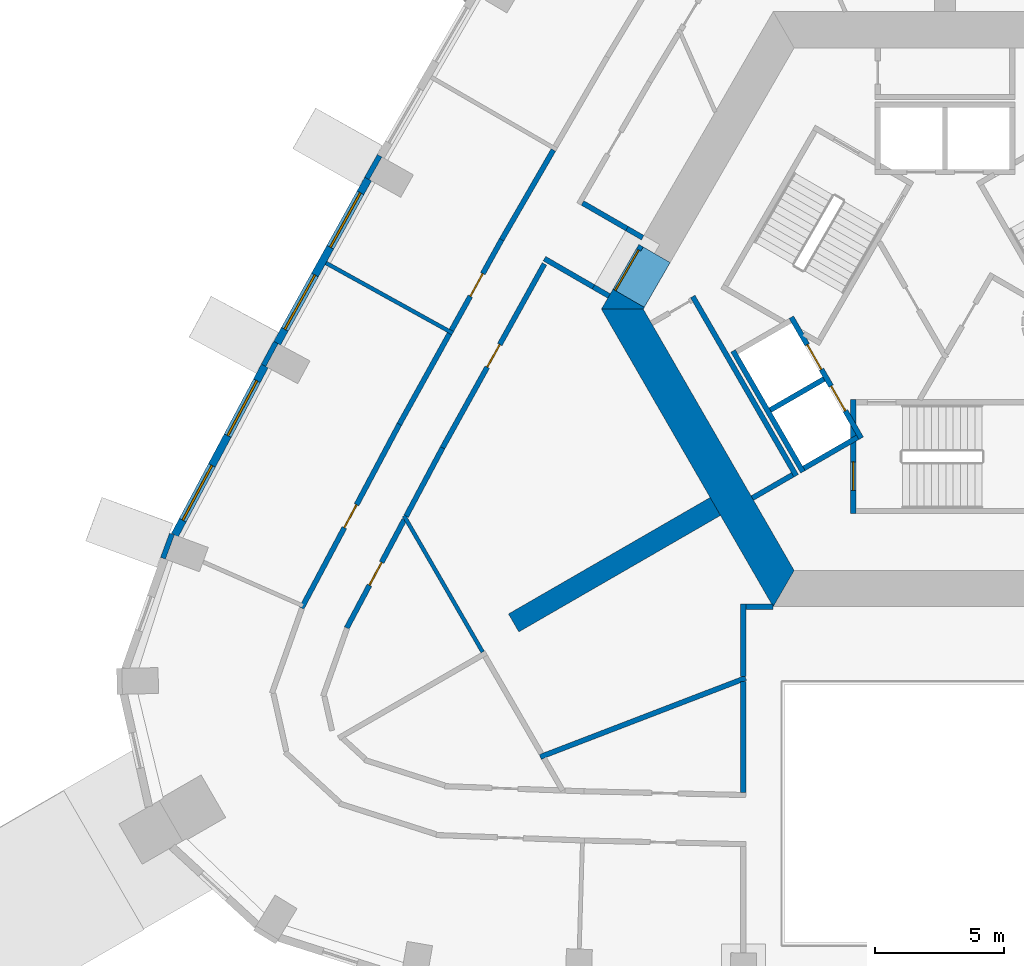
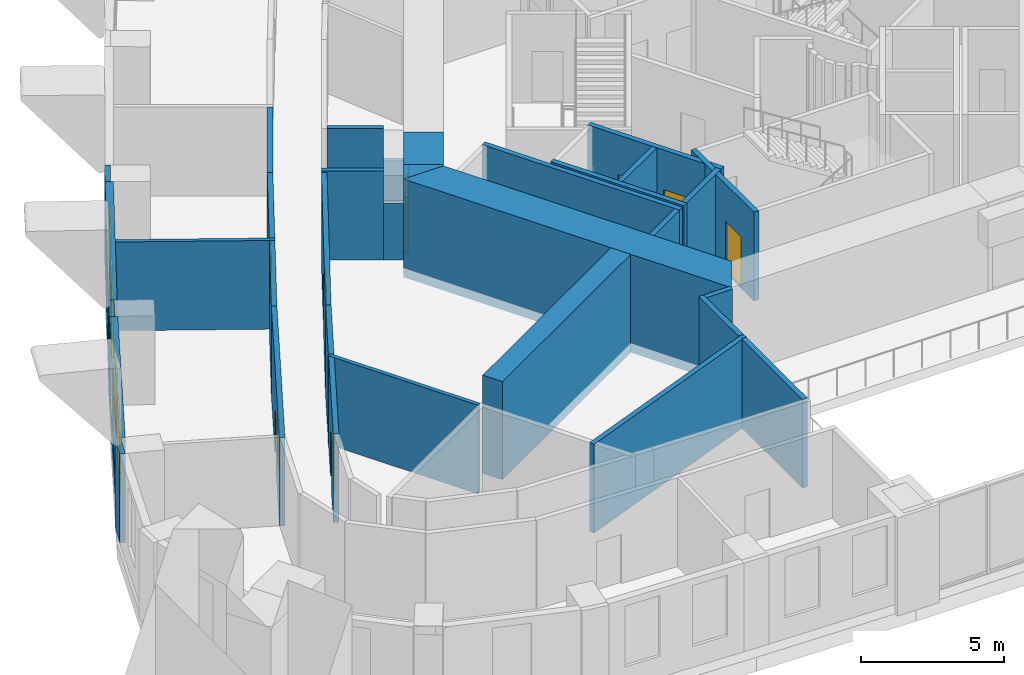
# One storey, part 4 of 13: 34 walls, 8 doors, 4 windows, 12 openings.
"""IFC4 building model written with IfcOpenShell, lengths in metres."""

from ifc_helpers import new_model, si_unit, direction, frame, frame_2d, origin, place, context, subcontext, project, spatial, polyline, rectangle, outline, extrude, material, layer, layer_set, type_object, element, fill, save


model = new_model("IFC4")

# Units and contexts
model_context = context("Model", 3, precision=1e-05, world=origin(), true_north=direction((0.0, 1.0)))
body_context = subcontext(model_context, "Body", "Model", "MODEL_VIEW")
ifc_project = project(units=[si_unit("LENGTHUNIT", "METRE"), si_unit("AREAUNIT", "SQUARE_METRE"), si_unit("VOLUMEUNIT", "CUBIC_METRE"), si_unit("PLANEANGLEUNIT", "RADIAN"), si_unit("MASSUNIT", "GRAM", prefix="KILO")], contexts=[model_context])

# Site, building, storey
site_placement = place(None, origin())
site = spatial("IfcSite", under=ifc_project, at=site_placement, CompositionType="ELEMENT")
building_placement = place(site_placement, origin())
building = spatial("IfcBuilding", under=site, at=building_placement, Name="Entoto Arch Interchange Tower", CompositionType="ELEMENT")
storey_placement = place(building_placement, frame((0.0, 0.0, 227.60009765625)))
storey = spatial("IfcBuildingStorey", under=building, at=storey_placement, Name="L51", CompositionType="ELEMENT", Elevation=227.60009765625)

# Wall
ifc_material_1 = material(Name="Concrete C50/60", Category="concrete")
ifc_layer_1 = layer(ifc_material_1, 0.800048828125)
ifc_layer_set_1 = layer_set([ifc_layer_1], Name="Concrete C50/60")
wall_type_1 = type_object("IfcWallType", Name="Buttress wall 800 C50/60", PredefinedType="SHEAR", material=ifc_layer_set_1)
wall_1_placement = place(storey_placement, frame((-8.876953125, -5.125, -0.400146484375), z_axis=(0.0, 0.0, 1.0), x_axis=(-0.866017533419, -0.500013631625, 0.0)))
element("IfcWall", 1, at=wall_1_placement, inside=storey, type_object=wall_type_1, Name="Buttress wall SW L51", PredefinedType="SHEAR", context=body_context, shape_type="SweptSolid", body=[
    extrude(rectangle(XDim=8.999755859375, YDim=0.800048828125, at=frame_2d((4.5, 0.0))), origin(), (0.0, 0.0, 1.0), 4.199951171875),
])

# Wall, opening, door
ifc_material_2 = material(Name="Reinforced concrete C40/50", Category="concrete")
ifc_layer_2 = layer(ifc_material_2, 0.199951171875)
ifc_layer_set_2 = layer_set([ifc_layer_2], Name="Reinforced concrete C40/50")
wall_type_2 = type_object("IfcWallType", Name="CORE GAP INFILL WALL", PredefinedType="PARTITIONING", material=ifc_layer_set_2)
wall_2_placement = place(storey_placement, frame((-11.7470703125, 4.951904296875, 0.0), z_axis=(0.0, 0.0, 1.0), x_axis=(-0.50002537861, -0.866010750942, 0.0)))
wall_2 = element("IfcWall", 2, at=wall_2_placement, inside=storey, type_object=wall_type_2, Name="wall:L51:gap3", PredefinedType="PARTITIONING", context=body_context, shape_type="SweptSolid", body=[
    extrude(rectangle(XDim=2.0, YDim=0.199951171875, at=frame_2d((1.0, 0.0))), origin(), (0.0, 0.0, 1.0), 2.39990234375),
])
opening_1_placement = place(wall_2_placement, frame((0.18994140625, 0.0, 0.0)))
opening_1 = element("IfcOpeningElement", 3, at=opening_1_placement, cuts=wall_2, Name="Opening L51-D93", PredefinedType="OPENING", context=body_context, shape_type="SweptSolid", body=[
    extrude(rectangle(XDim=1.800048828125, YDim=2.10009765625, at=frame_2d((0.89990234375, 1.050048828125))), frame((0.0, 0.10986328125, 0.0), z_axis=(0.0, -1.0, 0.0), x_axis=(1.0, 0.0, 0.0)), (0.0, 0.0, 1.0), 0.219970703125),
])
ifc_material_3 = material(Name="Fire-rated Steel S235 door and frame", Category="steel")
door_type_1 = type_object("IfcDoorType", Name="DOOR FD-18 1800x2100", OperationType="DOUBLE_DOOR_SINGLE_SWING", PredefinedType="DOOR", material=ifc_material_3)
door_1_placement = place(opening_1_placement, origin())
door_1 = element("IfcDoor", 4, at=door_1_placement, inside=storey, type_object=door_type_1, Name="door:L51:gap3", OperationType="DOUBLE_DOOR_SINGLE_SWING", OverallHeight=2.10009765625, OverallWidth=1.800048828125, PredefinedType="DOOR", context=body_context, shape_type="SweptSolid", body=[
    extrude(rectangle(XDim=1.800048828125, YDim=2.10009765625, at=frame_2d((0.89990234375, 1.050048828125))), frame((0.0, 0.02490234375, 0.0), z_axis=(0.0, -1.0, 0.0), x_axis=(1.0, 0.0, 0.0)), (0.0, 0.0, 1.0), 0.050048828125),
])
fill(opening_1, door_1)

# Walls
ifc_layer_3 = layer(ifc_material_1, 1.39990234375)
ifc_layer_set_3 = layer_set([ifc_layer_3], Name="Concrete C50/60")
wall_type_3 = type_object("IfcWallType", Name="Core wall 1400 C50/60", PredefinedType="SHEAR", material=ifc_layer_set_3)
wall_3_placement = place(storey_placement, frame((0.0, 0.0, -0.400146484375)))
element("IfcWall", 5, at=wall_3_placement, inside=storey, type_object=wall_type_3, Name="Core wall NW L51", PredefinedType="SHEAR", context=body_context, shape_type="SweptSolid", body=[
    extrude(outline(polyline([(-11.6220703125, 2.570068359375), (-12.833984375, 3.27001953125), (-13.279052734375, 2.5), (-11.662109375, 2.5), (-11.6220703125, 2.570068359375)])), origin(), (0.0, 0.0, 1.0), 4.199951171875),
])
wall_4_placement = place(storey_placement, frame((0.0, 0.0, 3.599853515625)))
element("IfcWall", 6, at=wall_4_placement, inside=storey, type_object=wall_type_3, Name="Core wall lintel NW L51", PredefinedType="SHEAR", context=body_context, shape_type="SweptSolid", body=[
    extrude(outline(polyline([(-12.833984375, 3.27001953125), (-11.6220703125, 2.570068359375), (-10.6220703125, 4.302001953125), (-11.833984375, 5.001953125), (-12.833984375, 3.27001953125)])), origin(), (0.0, 0.0, 1.0), 0.199951171875),
])
wall_5_placement = place(storey_placement, frame((0.0, 0.0, -0.400146484375)))
element("IfcWall", 7, at=wall_5_placement, inside=storey, type_object=wall_type_3, Name="Core wall SW L51", PredefinedType="SHEAR", context=body_context, shape_type="SweptSolid", body=[
    extrude(outline(polyline([(-13.279052734375, 2.5), (-6.639892578125, -9.0), (-5.8310546875, -7.60009765625), (-11.662109375, 2.5), (-13.279052734375, 2.5)])), origin(), (0.0, 0.0, 1.0), 4.199951171875),
])

# Wall, openings, doors
ifc_material_4 = material(Name="Concrete C40/50", Category="concrete")
ifc_layer_4 = layer(ifc_material_4, 0.199951171875)
ifc_layer_set_4 = layer_set([ifc_layer_4], Name="Concrete C40/50")
wall_type_4 = type_object("IfcWallType", Name="LIFT SHAFT WALL 200", PredefinedType="STANDARD", material=ifc_layer_set_4)
wall_6_placement = place(storey_placement, frame((-5.93994140625, 2.18798828125, 0.0), z_axis=(0.0, 0.0, 1.0), x_axis=(0.500034260056, -0.866005622828, 0.0)))
wall_6 = element("IfcWall", 8, at=wall_6_placement, inside=storey, type_object=wall_type_4, Name="Shaft wall SW1 front", PredefinedType="STANDARD", context=body_context, shape_type="SweptSolid", body=[
    extrude(rectangle(XDim=5.3994140625, YDim=0.199951171875, at=frame_2d((2.69970703125, 0.0))), origin(), (0.0, 0.0, 1.0), 3.7998046875),
])
opening_2_placement = place(wall_6_placement, frame((3.074951171875, 0.0, 0.0)))
opening_2 = element("IfcOpeningElement", 9, at=opening_2_placement, cuts=wall_6, Name="Opening LD-HR4-L51", PredefinedType="OPENING", context=body_context, shape_type="SweptSolid", body=[
    extrude(rectangle(XDim=1.10009765625, YDim=2.10009765625, at=frame_2d((0.550048828125, 1.050048828125))), frame((0.0, 0.10986328125, 0.0), z_axis=(0.0, -1.0, 0.0), x_axis=(1.0, 0.0, 0.0)), (0.0, 0.0, 1.0), 0.219970703125),
])
opening_3_placement = place(wall_6_placement, frame((1.22509765625, 0.0, 0.0)))
opening_3 = element("IfcOpeningElement", 10, at=opening_3_placement, cuts=wall_6, Name="Opening LD-FF2-L51", PredefinedType="OPENING", context=body_context, shape_type="SweptSolid", body=[
    extrude(rectangle(XDim=1.10009765625, YDim=2.10009765625, at=frame_2d((0.550048828125, 1.050048828125))), frame((0.0, 0.10986328125, 0.0), z_axis=(0.0, -1.0, 0.0), x_axis=(1.0, 0.0, 0.0)), (0.0, 0.0, 1.0), 0.219970703125),
])
ifc_material_5 = material(Name="Stainless steel 1.4301 panels", Category="steel")
door_type_2 = type_object("IfcDoorType", Name="LIFT LANDING DOOR LD1 1100x2100", OperationType="SLIDING_TO_LEFT", PredefinedType="DOOR", material=ifc_material_5)
door_2_placement = place(opening_2_placement, origin())
door_2 = element("IfcDoor", 11, at=door_2_placement, inside=storey, type_object=door_type_2, Name="Lift landing door HR4 L51", OperationType="SLIDING_TO_LEFT", OverallHeight=2.10009765625, OverallWidth=1.10009765625, PredefinedType="DOOR", context=body_context, shape_type="SweptSolid", body=[
    extrude(rectangle(XDim=1.10009765625, YDim=2.10009765625, at=frame_2d((0.550048828125, 1.050048828125))), frame((0.0, 0.02490234375, 0.0), z_axis=(0.0, -1.0, 0.0), x_axis=(1.0, 0.0, 0.0)), (0.0, 0.0, 1.0), 0.050048828125),
])
fill(opening_2, door_2)
door_3_placement = place(opening_3_placement, origin())
door_3 = element("IfcDoor", 12, at=door_3_placement, inside=storey, type_object=door_type_2, Name="Lift landing door FF2 L51", OperationType="SLIDING_TO_LEFT", OverallHeight=2.10009765625, OverallWidth=1.10009765625, PredefinedType="DOOR", context=body_context, shape_type="SweptSolid", body=[
    extrude(rectangle(XDim=1.10009765625, YDim=2.10009765625, at=frame_2d((0.550048828125, 1.050048828125))), frame((0.0, 0.02490234375, 0.0), z_axis=(0.0, -1.0, 0.0), x_axis=(1.0, 0.0, 0.0)), (0.0, 0.0, 1.0), 0.050048828125),
])
fill(opening_3, door_3)

# Walls
wall_7_placement = place(storey_placement, frame((-8.19189453125, 0.887939453125, 0.0), z_axis=(0.0, 0.0, 1.0), x_axis=(0.500034260056, -0.866005622828, 0.0)))
element("IfcWall", 13, at=wall_7_placement, inside=storey, type_object=wall_type_4, Name="Shaft wall SW1 back", PredefinedType="STANDARD", context=body_context, shape_type="SweptSolid", body=[
    extrude(rectangle(XDim=5.3994140625, YDim=0.199951171875, at=frame_2d((2.69970703125, 0.0))), origin(), (0.0, 0.0, 1.0), 3.7998046875),
])
wall_8_placement = place(storey_placement, frame((-4.677001953125, -0.199951171875, 0.0), z_axis=(0.0, 0.0, 1.0), x_axis=(-0.865973769406, -0.500089422704, 0.0)))
element("IfcWall", 14, at=wall_8_placement, inside=storey, type_object=wall_type_4, Name="Shaft wall SW1 cross 2", PredefinedType="STANDARD", context=body_context, shape_type="SweptSolid", body=[
    extrude(rectangle(XDim=2.3994140625, YDim=0.199951171875, at=frame_2d((1.19970703125, 0.0))), origin(), (0.0, 0.0, 1.0), 3.7998046875),
])
wall_9_placement = place(storey_placement, frame((-3.376953125, -2.451904296875, 0.0), z_axis=(0.0, 0.0, 1.0), x_axis=(-0.865955154139, -0.50012165622, 0.0)))
element("IfcWall", 15, at=wall_9_placement, inside=storey, type_object=wall_type_4, Name="Shaft wall SW1 cross 3", PredefinedType="STANDARD", context=body_context, shape_type="SweptSolid", body=[
    extrude(rectangle(XDim=2.39990234375, YDim=0.199951171875, at=frame_2d((1.199951171875, 0.0))), origin(), (0.0, 0.0, 1.0), 3.7998046875),
])
ifc_material_6 = material(Name="Gypsum board partition on steel studs", Category="steel")
ifc_layer_5 = layer(ifc_material_6, 0.14990234375)
ifc_layer_set_5 = layer_set([ifc_layer_5], Name="Gypsum board partition on steel studs")
wall_type_5 = type_object("IfcWallType", Name="PARTITION 150", PredefinedType="PARTITIONING", material=ifc_layer_set_5)
wall_10_placement = place(storey_placement, frame((-17.8701171875, -10.7490234375, 0.0), z_axis=(0.0, 0.0, 1.0), x_axis=(-0.499907758807, 0.866078652713, 0.0)))
element("IfcWall", 16, at=wall_10_placement, inside=storey, type_object=wall_type_5, Name="wall:L51:p110", PredefinedType="PARTITIONING", context=body_context, shape_type="SweptSolid", body=[
    extrude(rectangle(XDim=6.082763671875, YDim=0.14990234375, at=frame_2d((3.04150390625, 0.0))), origin(), (0.0, 0.0, 1.0), 3.7998046875),
])
wall_11_placement = place(storey_placement, frame((-19.02490234375, 1.570068359375, 0.0), z_axis=(0.0, 0.0, 1.0), x_axis=(-0.874714019242, 0.484639437666, 0.0)))
element("IfcWall", 17, at=wall_11_placement, inside=storey, type_object=wall_type_5, Name="wall:L51:p124", PredefinedType="PARTITIONING", context=body_context, shape_type="SweptSolid", body=[
    extrude(rectangle(XDim=5.599853515625, YDim=0.14990234375, at=frame_2d((2.7998046875, 0.0))), origin(), (0.0, 0.0, 1.0), 3.7998046875),
])
ifc_layer_6 = layer(ifc_material_6, 0.199951171875)
ifc_layer_set_6 = layer_set([ifc_layer_6], Name="Gypsum board partition on steel studs")
wall_type_6 = type_object("IfcWallType", Name="PARTITION 200", PredefinedType="PARTITIONING", material=ifc_layer_set_6)
wall_12_placement = place(storey_placement, frame((-14.007080078125, 6.60302734375, 0.0), z_axis=(0.0, 0.0, 1.0), x_axis=(0.866105617073, -0.499861040765, 0.0)))
element("IfcWall", 18, at=wall_12_placement, inside=storey, type_object=wall_type_6, Name="wall:L51:p004", PredefinedType="PARTITIONING", context=body_context, shape_type="SweptSolid", body=[
    extrude(rectangle(XDim=1.982421875, YDim=0.199951171875, at=frame_2d((0.9912109375, 0.0))), origin(), (0.0, 0.0, 1.0), 3.7998046875),
])

# Wall, opening, door
wall_13_placement = place(storey_placement, frame((-15.48193359375, 4.2490234375, 0.0), z_axis=(0.0, 0.0, 1.0), x_axis=(-0.484683114876, -0.874689818252, 0.0)))
wall_13 = element("IfcWall", 19, at=wall_13_placement, inside=storey, type_object=wall_type_6, Name="wall:L51:p029", PredefinedType="PARTITIONING", context=body_context, shape_type="SweptSolid", body=[
    extrude(rectangle(XDim=8.122802734375, YDim=0.199951171875, at=frame_2d((4.0615234375, 0.0))), origin(), (0.0, 0.0, 1.0), 3.7998046875),
])
opening_4_placement = place(wall_13_placement, frame((3.56103515625, 0.0, 0.0)))
opening_4 = element("IfcOpeningElement", 20, at=opening_4_placement, cuts=wall_13, Name="Opening L51-D20", PredefinedType="OPENING", context=body_context, shape_type="SweptSolid", body=[
    extrude(rectangle(XDim=1.0, YDim=2.10009765625, at=frame_2d((0.5, 1.050048828125))), frame((0.0, 0.10986328125, 0.0), z_axis=(0.0, -1.0, 0.0), x_axis=(1.0, 0.0, 0.0)), (0.0, 0.0, 1.0), 0.219970703125),
])
ifc_material_7 = material(Name="Timber door leaf in Steel S235 frame", Category="steel")
door_type_3 = type_object("IfcDoorType", Name="DOOR DS-10 1000x2100", OperationType="SINGLE_SWING_LEFT", PredefinedType="DOOR", material=ifc_material_7)
door_4_placement = place(opening_4_placement, origin())
door_4 = element("IfcDoor", 21, at=door_4_placement, inside=storey, type_object=door_type_3, Name="door:L51:20", OperationType="SINGLE_SWING_LEFT", OverallHeight=2.10009765625, OverallWidth=1.0, PredefinedType="DOOR", context=body_context, shape_type="SweptSolid", body=[
    extrude(rectangle(XDim=1.0, YDim=2.10009765625, at=frame_2d((0.5, 1.050048828125))), frame((0.0, 0.02490234375, 0.0), z_axis=(0.0, -1.0, 0.0), x_axis=(1.0, 0.0, 0.0)), (0.0, 0.0, 1.0), 0.050048828125),
])
fill(opening_4, door_4)

# Walls
wall_14_placement = place(storey_placement, frame((-19.4189453125, -2.85595703125, 0.0), z_axis=(0.0, 0.0, 1.0), x_axis=(-0.469627838973, -0.882864481595, 0.0)))
element("IfcWall", 22, at=wall_14_placement, inside=storey, type_object=wall_type_6, Name="wall:L51:p030", PredefinedType="PARTITIONING", context=body_context, shape_type="SweptSolid", body=[
    extrude(rectangle(XDim=2.995849609375, YDim=0.199951171875, at=frame_2d((1.498046875, 0.0))), origin(), (0.0, 0.0, 1.0), 3.7998046875),
])
wall_15_placement = place(storey_placement, frame((-12.98388671875, 3.010009765625, 0.0), z_axis=(0.0, 0.0, 1.0), x_axis=(-0.865959057869, 0.500114896893, 0.0)))
element("IfcWall", 23, at=wall_15_placement, inside=storey, type_object=wall_type_6, Name="wall:L51:p031", PredefinedType="PARTITIONING", context=body_context, shape_type="SweptSolid", body=[
    extrude(rectangle(XDim=0.699951171875, YDim=0.199951171875, at=frame_2d((0.35009765625, 0.0))), origin(), (0.0, 0.0, 1.0), 2.39990234375),
])

# Wall, opening, door
wall_16_placement = place(storey_placement, frame((-20.89599609375, -5.634033203125, 0.0), z_axis=(0.0, 0.0, 1.0), x_axis=(-0.469448951755, -0.882959614986, 0.0)))
wall_16 = element("IfcWall", 24, at=wall_16_placement, inside=storey, type_object=wall_type_6, Name="wall:L51:p034", PredefinedType="PARTITIONING", context=body_context, shape_type="SweptSolid", body=[
    extrude(rectangle(XDim=4.73974609375, YDim=0.199951171875, at=frame_2d((2.369873046875, 0.0))), origin(), (0.0, 0.0, 1.0), 3.7998046875),
])
opening_5_placement = place(wall_16_placement, frame((1.8701171875, 0.0, 0.0)))
opening_5 = element("IfcOpeningElement", 25, at=opening_5_placement, cuts=wall_16, Name="Opening L51-D22", PredefinedType="OPENING", context=body_context, shape_type="SweptSolid", body=[
    extrude(rectangle(XDim=1.0, YDim=2.10009765625, at=frame_2d((0.5, 1.050048828125))), frame((0.0, 0.10986328125, 0.0), z_axis=(0.0, -1.0, 0.0), x_axis=(1.0, 0.0, 0.0)), (0.0, 0.0, 1.0), 0.219970703125),
])
door_5_placement = place(opening_5_placement, origin())
door_5 = element("IfcDoor", 26, at=door_5_placement, inside=storey, type_object=door_type_3, Name="door:L51:22", OperationType="SINGLE_SWING_LEFT", OverallHeight=2.10009765625, OverallWidth=1.0, PredefinedType="DOOR", context=body_context, shape_type="SweptSolid", body=[
    extrude(rectangle(XDim=1.0, YDim=2.10009765625, at=frame_2d((0.5, 1.050048828125))), frame((0.0, 0.02490234375, 0.0), z_axis=(0.0, -1.0, 0.0), x_axis=(1.0, 0.0, 0.0)), (0.0, 0.0, 1.0), 0.050048828125),
])
fill(opening_5, door_5)

wall_17_placement = place(storey_placement, frame((-19.075927734375, 1.68408203125, 0.0), z_axis=(0.0, 0.0, 1.0), x_axis=(0.484679349661, 0.874691904623, 0.0)))
wall_17 = element("IfcWall", 27, at=wall_17_placement, inside=storey, type_object=wall_type_6, Name="wall:L51:p061", PredefinedType="PARTITIONING", context=body_context, shape_type="SweptSolid", body=[
    extrude(rectangle(XDim=4.00244140625, YDim=0.199951171875, at=frame_2d((2.001220703125, 0.0))), origin(), (0.0, 0.0, 1.0), 3.7998046875),
])
opening_6_placement = place(wall_17_placement, frame((1.5009765625, 0.0, 0.0)))
opening_6 = element("IfcOpeningElement", 28, at=opening_6_placement, cuts=wall_17, Name="Opening L51-D11", PredefinedType="OPENING", context=body_context, shape_type="SweptSolid", body=[
    extrude(rectangle(XDim=1.0, YDim=2.10009765625, at=frame_2d((0.5, 1.050048828125))), frame((0.0, 0.10986328125, 0.0), z_axis=(0.0, -1.0, 0.0), x_axis=(1.0, 0.0, 0.0)), (0.0, 0.0, 1.0), 0.219970703125),
])
door_6_placement = place(opening_6_placement, origin())
door_6 = element("IfcDoor", 29, at=door_6_placement, inside=storey, type_object=door_type_3, Name="door:L51:11", OperationType="SINGLE_SWING_LEFT", OverallHeight=2.10009765625, OverallWidth=1.0, PredefinedType="DOOR", context=body_context, shape_type="SweptSolid", body=[
    extrude(rectangle(XDim=1.0, YDim=2.10009765625, at=frame_2d((0.5, 1.050048828125))), frame((0.0, 0.02490234375, 0.0), z_axis=(0.0, -1.0, 0.0), x_axis=(1.0, 0.0, 0.0)), (0.0, 0.0, 1.0), 0.050048828125),
])
fill(opening_6, door_6)

# Wall
wall_18_placement = place(storey_placement, frame((-17.135986328125, 5.18505859375, 0.0), z_axis=(0.0, 0.0, 1.0), x_axis=(0.500102734445, 0.865966081899, 0.0)))
element("IfcWall", 30, at=wall_18_placement, inside=storey, type_object=wall_type_6, Name="wall:L51:p062", PredefinedType="PARTITIONING", context=body_context, shape_type="SweptSolid", body=[
    extrude(rectangle(XDim=4.001220703125, YDim=0.199951171875, at=frame_2d((2.00048828125, 0.0))), origin(), (0.0, 0.0, 1.0), 3.7998046875),
])

# Wall, opening, door
wall_19_placement = place(storey_placement, frame((-24.865966796875, -9.052978515625, 0.0), z_axis=(0.0, 0.0, 1.0), x_axis=(0.469431794586, 0.882968736837, 0.0)))
wall_19 = element("IfcWall", 31, at=wall_19_placement, inside=storey, type_object=wall_type_6, Name="wall:L51:p063", PredefinedType="PARTITIONING", context=body_context, shape_type="SweptSolid", body=[
    extrude(rectangle(XDim=8.045654296875, YDim=0.199951171875, at=frame_2d((4.02294921875, 0.0))), origin(), (0.0, 0.0, 1.0), 3.7998046875),
])
opening_7_placement = place(wall_19_placement, frame((3.52197265625, 0.0, 0.0)))
opening_7 = element("IfcOpeningElement", 32, at=opening_7_placement, cuts=wall_19, Name="Opening L51-D12", PredefinedType="OPENING", context=body_context, shape_type="SweptSolid", body=[
    extrude(rectangle(XDim=1.0, YDim=2.10009765625, at=frame_2d((0.5, 1.050048828125))), frame((0.0, 0.10986328125, 0.0), z_axis=(0.0, -1.0, 0.0), x_axis=(1.0, 0.0, 0.0)), (0.0, 0.0, 1.0), 0.219970703125),
])
door_7_placement = place(opening_7_placement, origin())
door_7 = element("IfcDoor", 33, at=door_7_placement, inside=storey, type_object=door_type_3, Name="door:L51:12", OperationType="SINGLE_SWING_LEFT", OverallHeight=2.10009765625, OverallWidth=1.0, PredefinedType="DOOR", context=body_context, shape_type="SweptSolid", body=[
    extrude(rectangle(XDim=1.0, YDim=2.10009765625, at=frame_2d((0.5, 1.050048828125))), frame((0.0, 0.02490234375, 0.0), z_axis=(0.0, -1.0, 0.0), x_axis=(1.0, 0.0, 0.0)), (0.0, 0.0, 1.0), 0.050048828125),
])
fill(opening_7, door_7)

# Walls
wall_20_placement = place(storey_placement, frame((-21.089111328125, -1.948974609375, 0.0), z_axis=(0.0, 0.0, 1.0), x_axis=(0.484622593188, 0.874723351793, 0.0)))
element("IfcWall", 34, at=wall_20_placement, inside=storey, type_object=wall_type_6, Name="wall:L51:p064", PredefinedType="PARTITIONING", context=body_context, shape_type="SweptSolid", body=[
    extrude(rectangle(XDim=4.00341796875, YDim=0.199951171875, at=frame_2d((2.001708984375, 0.0))), origin(), (0.0, 0.0, 1.0), 3.7998046875),
])
wall_21_placement = place(storey_placement, frame((-5.887939453125, -3.902099609375, 0.0), z_axis=(0.0, 0.0, 1.0), x_axis=(-0.866316547501, -0.499495384889, 0.0)))
element("IfcWall", 35, at=wall_21_placement, inside=storey, type_object=wall_type_6, Name="wall:L51:p077", PredefinedType="PARTITIONING", context=body_context, shape_type="SweptSolid", body=[
    extrude(rectangle(XDim=1.799560546875, YDim=0.199951171875, at=frame_2d((0.89990234375, 0.0))), origin(), (0.0, 0.0, 1.0), 3.7998046875),
])
wall_22_placement = place(storey_placement, frame((-9.7509765625, 2.989990234375, 0.0), z_axis=(0.0, 0.0, 1.0), x_axis=(0.500012163284, -0.866018381195, 0.0)))
element("IfcWall", 36, at=wall_22_placement, inside=storey, type_object=wall_type_6, Name="wall:L51:p079", PredefinedType="PARTITIONING", context=body_context, shape_type="SweptSolid", body=[
    extrude(rectangle(XDim=7.999755859375, YDim=0.199951171875, at=frame_2d((4.0, 0.0))), origin(), (0.0, 0.0, 1.0), 3.7998046875),
])
wall_23_placement = place(storey_placement, frame((-7.800048828125, -11.68994140625, 0.0), z_axis=(0.0, 0.0, 1.0), x_axis=(0.0, 1.0, 0.0)))
element("IfcWall", 37, at=wall_23_placement, inside=storey, type_object=wall_type_6, Name="wall:L51:p099", PredefinedType="PARTITIONING", context=body_context, shape_type="SweptSolid", body=[
    extrude(rectangle(XDim=2.791015625, YDim=0.199951171875, at=frame_2d((1.3955078125, 0.0))), origin(), (0.0, 0.0, 1.0), 3.7998046875),
])
wall_24_placement = place(storey_placement, frame((-7.699951171875, -8.9990234375, 0.0), z_axis=(0.0, 0.0, 1.0), x_axis=(1.0, 0.0, 0.0)))
element("IfcWall", 38, at=wall_24_placement, inside=storey, type_object=wall_type_6, Name="wall:L51:p100", PredefinedType="PARTITIONING", context=body_context, shape_type="SweptSolid", body=[
    extrude(rectangle(XDim=1.058837890625, YDim=0.199951171875, at=frame_2d((0.529296875, 0.0))), origin(), (0.0, 0.0, 1.0), 3.7998046875),
])
wall_25_placement = place(storey_placement, frame((-7.800048828125, -16.176025390625, 0.0), z_axis=(0.0, 0.0, 1.0), x_axis=(0.0, 1.0, 0.0)))
element("IfcWall", 39, at=wall_25_placement, inside=storey, type_object=wall_type_6, Name="wall:L51:p101", PredefinedType="PARTITIONING", context=body_context, shape_type="SweptSolid", body=[
    extrude(rectangle(XDim=4.2861328125, YDim=0.199951171875, at=frame_2d((2.14306640625, 0.0))), origin(), (0.0, 0.0, 1.0), 3.7998046875),
])
wall_26_placement = place(storey_placement, frame((-7.70703125, -11.7548828125, 0.0), z_axis=(0.0, 0.0, 1.0), x_axis=(-0.933420343818, -0.358784701105, 0.0)))
element("IfcWall", 40, at=wall_26_placement, inside=storey, type_object=wall_type_6, Name="wall:L51:p109", PredefinedType="PARTITIONING", context=body_context, shape_type="SweptSolid", body=[
    extrude(rectangle(XDim=8.5009765625, YDim=0.199951171875, at=frame_2d((4.25048828125, 0.0))), origin(), (0.0, 0.0, 1.0), 3.7998046875),
])
wall_27_placement = place(storey_placement, frame((-12.2900390625, 5.612060546875, 0.0), z_axis=(0.0, 0.0, 1.0), x_axis=(0.865871789474, -0.500265973451, 0.0)))
element("IfcWall", 41, at=wall_27_placement, inside=storey, type_object=wall_type_6, Name="wall:L51:p004", PredefinedType="PARTITIONING", context=body_context, shape_type="SweptSolid", body=[
    extrude(rectangle(XDim=0.69970703125, YDim=0.199951171875, at=frame_2d((0.349853515625, 0.0))), origin(), (0.0, 0.0, 1.0), 2.39990234375),
])
wall_28_placement = place(storey_placement, frame((-13.590087890625, 3.360107421875, 0.0), z_axis=(0.0, 0.0, 1.0), x_axis=(-0.866004963011, 0.500035402787, 0.0)))
element("IfcWall", 42, at=wall_28_placement, inside=storey, type_object=wall_type_6, Name="wall:L51:p031", PredefinedType="PARTITIONING", context=body_context, shape_type="SweptSolid", body=[
    extrude(rectangle(XDim=2.183349609375, YDim=0.199951171875, at=frame_2d((1.091796875, 0.0))), origin(), (0.0, 0.0, 1.0), 3.7998046875),
])

# Wall, opening, door
ifc_layer_7 = layer(ifc_material_4, 0.199951171875)
ifc_layer_set_7 = layer_set([ifc_layer_7], Name="Concrete C40/50")
wall_type_7 = type_object("IfcWallType", Name="STAIR ENCLOSURE WALL 200", PredefinedType="STANDARD", material=ifc_layer_set_7)
wall_29_placement = place(storey_placement, frame((-3.550048828125, -1.0, 0.0), z_axis=(0.0, 0.0, 1.0), x_axis=(0.0, -1.0, 0.0)))
wall_29 = element("IfcWall", 43, at=wall_29_placement, inside=storey, type_object=wall_type_7, Name="Stair wall ST-S near", PredefinedType="STANDARD", context=body_context, shape_type="SweptSolid", body=[
    extrude(rectangle(XDim=4.39990234375, YDim=0.199951171875, at=frame_2d((2.199951171875, 0.0))), origin(), (0.0, 0.0, 1.0), 3.7998046875),
])
opening_8_placement = place(wall_29_placement, frame((2.39990234375, 0.0, 0.0)))
opening_8 = element("IfcOpeningElement", 44, at=opening_8_placement, cuts=wall_29, Name="Opening SD-ST-S-L51-E", PredefinedType="OPENING", context=body_context, shape_type="SweptSolid", body=[
    extrude(rectangle(XDim=1.10009765625, YDim=2.199951171875, at=frame_2d((0.550048828125, 1.10009765625))), frame((0.0, 0.10986328125, 0.0), z_axis=(0.0, -1.0, 0.0), x_axis=(1.0, 0.0, 0.0)), (0.0, 0.0, 1.0), 0.219970703125),
])
ifc_material_8 = material(Name="Steel S235", Category="steel")
door_type_4 = type_object("IfcDoorType", Name="STAIR DOOR SD1 1100x2200", OperationType="SINGLE_SWING_LEFT", PredefinedType="DOOR", material=ifc_material_8)
door_8_placement = place(opening_8_placement, origin())
door_8 = element("IfcDoor", 45, at=door_8_placement, inside=storey, type_object=door_type_4, Name="Stair door ST-S L51 end", OperationType="SINGLE_SWING_LEFT", OverallHeight=2.199951171875, OverallWidth=1.10009765625, PredefinedType="DOOR", context=body_context, shape_type="SweptSolid", body=[
    extrude(rectangle(XDim=1.10009765625, YDim=2.199951171875, at=frame_2d((0.550048828125, 1.10009765625))), frame((0.0, 0.02490234375, 0.0), z_axis=(0.0, -1.0, 0.0), x_axis=(1.0, 0.0, 0.0)), (0.0, 0.0, 1.0), 0.050048828125),
])
fill(opening_8, door_8)

# Wall, openings, windows
ifc_material_9 = material(Name="Welded tuff (ignimbrite) cladding, warm buff", Category="masonry")
ifc_layer_8 = layer(ifc_material_9, 0.300048828125)
ifc_layer_set_8 = layer_set([ifc_layer_8], Name="Welded tuff (ignimbrite) cladding, warm buff")
wall_type_8 = type_object("IfcWallType", Name="STONE INFILL WALL 300", PredefinedType="STANDARD", material=ifc_layer_set_8)
wall_30_placement = place(storey_placement, frame((-22.294921875, 7.531005859375, 0.0), z_axis=(0.0, 0.0, 1.0), x_axis=(-0.484742980126, -0.874656643043, 0.0)))
wall_30 = element("IfcWall", 46, at=wall_30_placement, inside=storey, type_object=wall_type_8, Name="Facade wall NW-04 L51", PredefinedType="STANDARD", context=body_context, shape_type="SweptSolid", body=[
    extrude(rectangle(XDim=7.257568359375, YDim=0.300048828125, at=frame_2d((3.62890625, 0.0))), origin(), (0.0, 0.0, 1.0), 3.7998046875),
])
opening_9_placement = place(wall_30_placement, frame((0.614013671875, 0.0, 0.89990234375)))
opening_9 = element("IfcOpeningElement", 47, at=opening_9_placement, cuts=wall_30, Name="Opening WO-A", PredefinedType="OPENING", context=body_context, shape_type="SweptSolid", body=[
    extrude(rectangle(XDim=2.39990234375, YDim=2.60009765625, at=frame_2d((1.199951171875, 1.300048828125))), frame((0.0, 0.16015625, 0.0), z_axis=(0.0, -1.0, 0.0), x_axis=(1.0, 0.0, 0.0)), (0.0, 0.0, 1.0), 0.320068359375),
])
opening_10_placement = place(wall_30_placement, frame((4.242919921875, 0.0, 0.89990234375)))
opening_10 = element("IfcOpeningElement", 48, at=opening_10_placement, cuts=wall_30, Name="Opening WO-A", PredefinedType="OPENING", context=body_context, shape_type="SweptSolid", body=[
    extrude(rectangle(XDim=2.39990234375, YDim=2.60009765625, at=frame_2d((1.199951171875, 1.300048828125))), frame((0.0, 0.16015625, 0.0), z_axis=(0.0, -1.0, 0.0), x_axis=(1.0, 0.0, 0.0)), (0.0, 0.0, 1.0), 0.320068359375),
])
ifc_material_10 = material(Name="Clear glass, low-e double glazed", Category="glass")
window_type = type_object("IfcWindowType", Name="WINDOW WO-A 2400x2600", PartitioningType="DOUBLE_PANEL_VERTICAL", PredefinedType="WINDOW", material=ifc_material_10)
window_1_placement = place(opening_9_placement, origin())
window_1 = element("IfcWindow", 49, at=window_1_placement, inside=storey, type_object=window_type, Name="Window WO-A NW-04 L51", OverallHeight=2.60009765625, OverallWidth=2.39990234375, PartitioningType="SINGLE_PANEL", PredefinedType="WINDOW", context=body_context, shape_type="SweptSolid", body=[
    extrude(rectangle(XDim=2.39990234375, YDim=2.60009765625, at=frame_2d((1.199951171875, 1.300048828125))), frame((0.0, 0.030029296875, 0.0), z_axis=(0.0, -1.0, 0.0), x_axis=(1.0, 0.0, 0.0)), (0.0, 0.0, 1.0), 0.06005859375),
])
fill(opening_9, window_1)
window_2_placement = place(opening_10_placement, origin())
window_2 = element("IfcWindow", 50, at=window_2_placement, inside=storey, type_object=window_type, Name="Window WO-A NW-04 L51", OverallHeight=2.60009765625, OverallWidth=2.39990234375, PartitioningType="SINGLE_PANEL", PredefinedType="WINDOW", context=body_context, shape_type="SweptSolid", body=[
    extrude(rectangle(XDim=2.39990234375, YDim=2.60009765625, at=frame_2d((1.199951171875, 1.300048828125))), frame((0.0, 0.030029296875, 0.0), z_axis=(0.0, -1.0, 0.0), x_axis=(1.0, 0.0, 0.0)), (0.0, 0.0, 1.0), 0.06005859375),
])
fill(opening_10, window_2)

wall_31_placement = place(storey_placement, frame((-26.2890625, 0.305908203125, 0.0), z_axis=(0.0, 0.0, 1.0), x_axis=(-0.469429229062, -0.882970100797, 0.0)))
wall_31 = element("IfcWall", 51, at=wall_31_placement, inside=storey, type_object=wall_type_8, Name="Facade wall NW-05 L51", PredefinedType="STANDARD", context=body_context, shape_type="SweptSolid", body=[
    extrude(rectangle(XDim=7.404296875, YDim=0.300048828125, at=frame_2d((3.7021484375, 0.0))), origin(), (0.0, 0.0, 1.0), 3.7998046875),
])
opening_11_placement = place(wall_31_placement, frame((0.65087890625, 0.0, 0.89990234375)))
opening_11 = element("IfcOpeningElement", 52, at=opening_11_placement, cuts=wall_31, Name="Opening WO-A", PredefinedType="OPENING", context=body_context, shape_type="SweptSolid", body=[
    extrude(rectangle(XDim=2.39990234375, YDim=2.60009765625, at=frame_2d((1.199951171875, 1.300048828125))), frame((0.0, 0.16015625, 0.0), z_axis=(0.0, -1.0, 0.0), x_axis=(1.0, 0.0, 0.0)), (0.0, 0.0, 1.0), 0.320068359375),
])
opening_12_placement = place(wall_31_placement, frame((4.35302734375, 0.0, 0.89990234375)))
opening_12 = element("IfcOpeningElement", 53, at=opening_12_placement, cuts=wall_31, Name="Opening WO-A", PredefinedType="OPENING", context=body_context, shape_type="SweptSolid", body=[
    extrude(rectangle(XDim=2.39990234375, YDim=2.60009765625, at=frame_2d((1.199951171875, 1.300048828125))), frame((0.0, 0.16015625, 0.0), z_axis=(0.0, -1.0, 0.0), x_axis=(1.0, 0.0, 0.0)), (0.0, 0.0, 1.0), 0.320068359375),
])
window_3_placement = place(opening_11_placement, origin())
window_3 = element("IfcWindow", 54, at=window_3_placement, inside=storey, type_object=window_type, Name="Window WO-A NW-05 L51", OverallHeight=2.60009765625, OverallWidth=2.39990234375, PartitioningType="SINGLE_PANEL", PredefinedType="WINDOW", context=body_context, shape_type="SweptSolid", body=[
    extrude(rectangle(XDim=2.39990234375, YDim=2.60009765625, at=frame_2d((1.199951171875, 1.300048828125))), frame((0.0, 0.030029296875, 0.0), z_axis=(0.0, -1.0, 0.0), x_axis=(1.0, 0.0, 0.0)), (0.0, 0.0, 1.0), 0.06005859375),
])
fill(opening_11, window_3)
window_4_placement = place(opening_12_placement, origin())
window_4 = element("IfcWindow", 55, at=window_4_placement, inside=storey, type_object=window_type, Name="Window WO-A NW-05 L51", OverallHeight=2.60009765625, OverallWidth=2.39990234375, PartitioningType="SINGLE_PANEL", PredefinedType="WINDOW", context=body_context, shape_type="SweptSolid", body=[
    extrude(rectangle(XDim=2.39990234375, YDim=2.60009765625, at=frame_2d((1.199951171875, 1.300048828125))), frame((0.0, 0.030029296875, 0.0), z_axis=(0.0, -1.0, 0.0), x_axis=(1.0, 0.0, 0.0)), (0.0, 0.0, 1.0), 0.06005859375),
])
fill(opening_12, window_4)

# Walls
ifc_layer_9 = layer(ifc_material_9, 0.199951171875)
ifc_layer_set_9 = layer_set([ifc_layer_9], Name="Welded tuff (ignimbrite) cladding, warm buff")
wall_type_9 = type_object("IfcWallType", Name="STONE PIER CLADDING 200", PredefinedType="STANDARD", material=ifc_layer_set_9)
wall_32_placement = place(storey_placement, frame((-21.85107421875, 8.427001953125, 0.0), z_axis=(0.0, 0.0, 1.0), x_axis=(-0.491743606947, -0.87074004446, 0.0)))
element("IfcWall", 56, at=wall_32_placement, inside=storey, type_object=wall_type_9, Name="Stone pier NW04 L51", PredefinedType="STANDARD", context=body_context, shape_type="SweptSolid", body=[
    extrude(rectangle(XDim=1.00048828125, YDim=0.199951171875, at=frame_2d((0.500244140625, 0.0))), origin(), (0.0, 0.0, 1.0), 3.7998046875),
])
wall_33_placement = place(storey_placement, frame((-25.862060546875, 1.2109375, 0.0), z_axis=(0.0, 0.0, 1.0), x_axis=(-0.473765014438, -0.880651299377, 0.0)))
element("IfcWall", 57, at=wall_33_placement, inside=storey, type_object=wall_type_9, Name="Stone pier NW05 L51", PredefinedType="STANDARD", context=body_context, shape_type="SweptSolid", body=[
    extrude(rectangle(XDim=1.000244140625, YDim=0.199951171875, at=frame_2d((0.5, 0.0))), origin(), (0.0, 0.0, 1.0), 3.7998046875),
])
wall_34_placement = place(storey_placement, frame((-29.8759765625, -6.18994140625, 0.0), z_axis=(0.0, 0.0, 1.0), x_axis=(-0.346892928577, -0.937904737222, 0.0)))
element("IfcWall", 58, at=wall_34_placement, inside=storey, type_object=wall_type_9, Name="Stone pier NW06 L51", PredefinedType="STANDARD", context=body_context, shape_type="SweptSolid", body=[
    extrude(rectangle(XDim=1.0, YDim=0.199951171875, at=frame_2d((0.5, 0.0))), origin(), (0.0, 0.0, 1.0), 3.7998046875),
])

save(model, "model.ifc")
